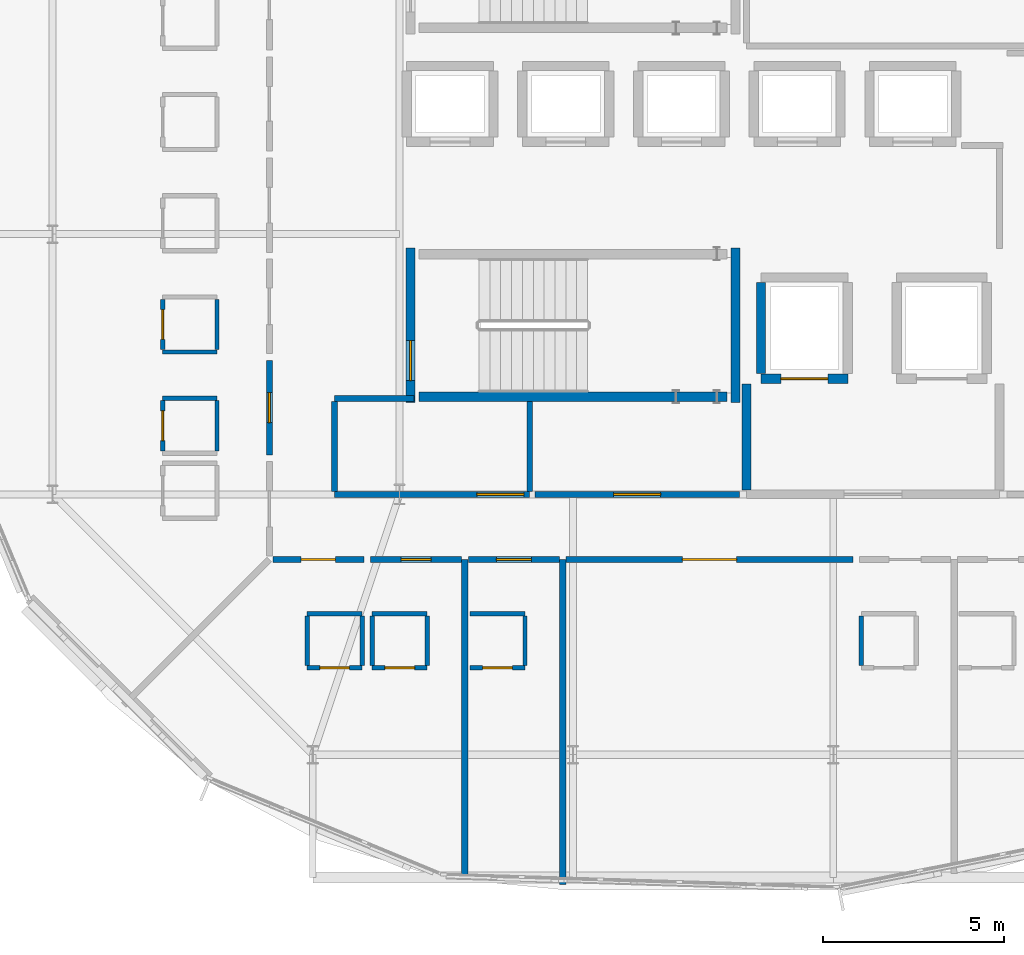
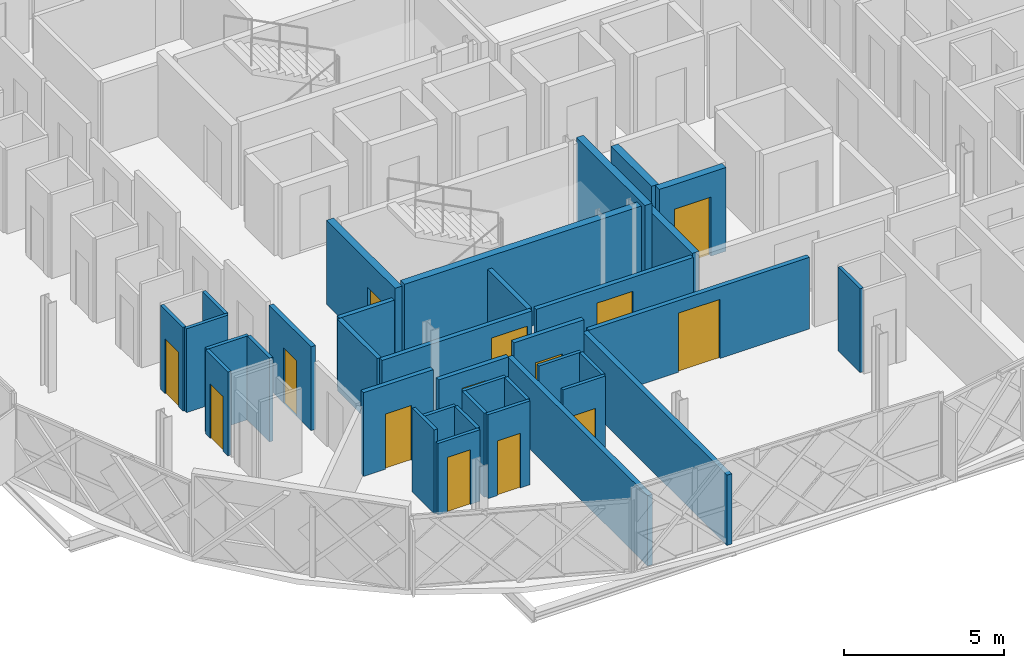
# One storey, part 15 of 26: 36 walls, 14 doors, 14 openings.
"""IFC4 building model written with IfcOpenShell, lengths in metres."""

from ifc_helpers import new_model, si_unit, direction, frame, frame_2d, origin, place, context, subcontext, project, spatial, rectangle, extrude, material, layer, layer_set, type_object, element, fill, save


model = new_model("IFC4")

# Units and contexts
model_context = context("Model", 3, precision=1e-05, world=origin(), true_north=direction((0.0, 1.0)))
body_context = subcontext(model_context, "Body", "Model", "MODEL_VIEW")
ifc_project = project(units=[si_unit("LENGTHUNIT", "METRE"), si_unit("AREAUNIT", "SQUARE_METRE"), si_unit("VOLUMEUNIT", "CUBIC_METRE"), si_unit("PLANEANGLEUNIT", "RADIAN"), si_unit("MASSUNIT", "GRAM", prefix="KILO")], contexts=[model_context])

# Site, building, storey
site_placement = place(None, origin())
site = spatial("IfcSite", under=ifc_project, at=site_placement, CompositionType="ELEMENT")
building_placement = place(site_placement, origin())
building = spatial("IfcBuilding", under=site, at=building_placement, Name="Zevrakil Square Congress Hotel", CompositionType="ELEMENT")
storey_placement = place(building_placement, frame((0.0, 0.0, 24.89990234375)))
storey = spatial("IfcBuildingStorey", under=building, at=storey_placement, Name="L07", CompositionType="ELEMENT", Elevation=24.89990234375)

# Wall
ifc_material_1 = material(Name="Concrete C35/45", Category="concrete")
ifc_layer_1 = layer(ifc_material_1, 0.239990234375)
ifc_layer_set_1 = layer_set([ifc_layer_1], Name="Concrete C35/45")
wall_type_1 = type_object("IfcWallType", Name="WAL-COMP-240", PredefinedType="SOLIDWALL", material=ifc_layer_set_1)
wall_1_placement = place(storey_placement, frame((146.39990234375, 16.925048828125, 0.0), z_axis=(0.0, 0.0, 1.0), x_axis=(0.0, 1.0, 0.0)))
element("IfcWall", 1, at=wall_1_placement, inside=storey, type_object=wall_type_1, Name="L07 interior partition PW-L07-0920", PredefinedType="SOLIDWALL", context=body_context, shape_type="SweptSolid", body=[
    extrude(rectangle(XDim=2.925048828125, YDim=0.239990234375, at=frame_2d((1.46240234375, 0.0))), origin(), (0.0, 0.0, 1.0), 2.72509765625),
])

# Wall, opening, door
ifc_material_2 = material(Name="Gypsum Acoustic Stud Partition")
ifc_layer_2 = layer(ifc_material_2, 0.159912109375)
ifc_layer_set_2 = layer_set([ifc_layer_2], Name="Gypsum Acoustic Stud Partition")
wall_type_2 = type_object("IfcWallType", Name="WAL-CORR-160", PredefinedType="PARTITIONING", material=ifc_layer_set_2)
wall_2_placement = place(storey_placement, frame((135.0, 16.800048828125, 0.0), z_axis=(0.0, 0.0, 1.0), x_axis=(1.0, 0.0, 0.0)))
wall_2 = element("IfcWall", 2, at=wall_2_placement, inside=storey, type_object=wall_type_2, Name="L07 interior partition PW-L07-0922", PredefinedType="PARTITIONING", context=body_context, shape_type="SweptSolid", body=[
    extrude(rectangle(XDim=5.39990234375, YDim=0.159912109375, at=frame_2d((2.699951171875, 0.0))), origin(), (0.0, 0.0, 1.0), 2.72509765625),
])
opening_1_placement = place(wall_2_placement, frame((3.93994140625, 0.0, 0.0)))
opening_1 = element("IfcOpeningElement", 3, at=opening_1_placement, cuts=wall_2, Name="Opening ID-08", PredefinedType="OPENING", context=body_context, shape_type="SweptSolid", body=[
    extrude(rectangle(XDim=1.300048828125, YDim=2.199951171875, at=frame_2d((0.64990234375, 1.10009765625))), frame((0.0, 0.08984375, 0.0), z_axis=(0.0, -1.0, 0.0), x_axis=(1.0, 0.0, 0.0)), (0.0, 0.0, 1.0), 0.179931640625),
])
ifc_material_3 = material(Name="Service Corridor Leaf-and-Half Door")
door_type_1 = type_object("IfcDoorType", Name="DOR-BOH-130", OperationType="NOTDEFINED", PredefinedType="DOOR", material=ifc_material_3)
door_1_placement = place(opening_1_placement, origin())
door_1 = element("IfcDoor", 4, at=door_1_placement, inside=storey, type_object=door_type_1, Name="L07 interior door 364", OperationType="SINGLE_SWING_RIGHT", OverallHeight=2.199951171875, OverallWidth=1.300048828125, PredefinedType="DOOR", context=body_context, shape_type="SweptSolid", body=[
    extrude(rectangle(XDim=1.300048828125, YDim=2.199951171875, at=frame_2d((0.64990234375, 1.10009765625))), frame((0.0, 0.02490234375, 0.0), z_axis=(0.0, -1.0, 0.0), x_axis=(1.0, 0.0, 0.0)), (0.0, 0.0, 1.0), 0.050048828125),
])
fill(opening_1, door_1)

# Walls
for number, where, z_axis, x_axis, name in (
    (5, (135.0, 16.885009765625, 0.0), (0.0, 0.0, 1.0), (0.0, 1.0, 0.0), "L07 interior partition PW-L07-0923"),
    (6, (140.39990234375, 16.885009765625, 0.0), (0.0, 0.0, 1.0), (0.0, 1.0, 0.0), "L07 interior partition PW-L07-0924"),
):
    element("IfcWall", number, at=place(storey_placement, frame(where, z_axis=z_axis, x_axis=x_axis)), inside=storey, type_object=wall_type_2, Name=name, PredefinedType="PARTITIONING", context=body_context, shape_type="SweptSolid", body=[
        extrude(rectangle(XDim=2.47998046875, YDim=0.159912109375, at=frame_2d((1.239990234375, 0.0))), origin(), (0.0, 0.0, 1.0), 2.72509765625),
    ])
wall_3_placement = place(storey_placement, frame((135.0, 19.449951171875, 0.0), z_axis=(0.0, 0.0, 1.0), x_axis=(1.0, 0.0, 0.0)))
element("IfcWall", 7, at=wall_3_placement, inside=storey, type_object=wall_type_2, Name="L07 interior partition PW-L07-0925", PredefinedType="PARTITIONING", context=body_context, shape_type="SweptSolid", body=[
    extrude(rectangle(XDim=2.199951171875, YDim=0.159912109375, at=frame_2d((1.10009765625, 0.0))), origin(), (0.0, 0.0, 1.0), 2.72509765625),
])

# Wall, opening, door
wall_4_placement = place(storey_placement, frame((140.550048828125, 16.800048828125, 0.0), z_axis=(0.0, 0.0, 1.0), x_axis=(1.0, 0.0, 0.0)))
wall_4 = element("IfcWall", 8, at=wall_4_placement, inside=storey, type_object=wall_type_2, Name="L07 interior partition PW-L07-0926", PredefinedType="PARTITIONING", context=body_context, shape_type="SweptSolid", body=[
    extrude(rectangle(XDim=5.64990234375, YDim=0.159912109375, at=frame_2d((2.824951171875, 0.0))), origin(), (0.0, 0.0, 1.0), 2.72509765625),
])
opening_2_placement = place(wall_4_placement, frame((2.175048828125, 0.0, 0.0)))
opening_2 = element("IfcOpeningElement", 9, at=opening_2_placement, cuts=wall_4, Name="Opening ID-08", PredefinedType="OPENING", context=body_context, shape_type="SweptSolid", body=[
    extrude(rectangle(XDim=1.300048828125, YDim=2.199951171875, at=frame_2d((0.64990234375, 1.10009765625))), frame((0.0, 0.08984375, 0.0), z_axis=(0.0, -1.0, 0.0), x_axis=(1.0, 0.0, 0.0)), (0.0, 0.0, 1.0), 0.179931640625),
])
door_2_placement = place(opening_2_placement, origin())
door_2 = element("IfcDoor", 10, at=door_2_placement, inside=storey, type_object=door_type_1, Name="L07 interior door 365", OperationType="SINGLE_SWING_LEFT", OverallHeight=2.199951171875, OverallWidth=1.300048828125, PredefinedType="DOOR", context=body_context, shape_type="SweptSolid", body=[
    extrude(rectangle(XDim=1.300048828125, YDim=2.199951171875, at=frame_2d((0.64990234375, 1.10009765625))), frame((0.0, 0.02490234375, 0.0), z_axis=(0.0, -1.0, 0.0), x_axis=(1.0, 0.0, 0.0)), (0.0, 0.0, 1.0), 0.050048828125),
])
fill(opening_2, door_2)

wall_5_placement = place(storey_placement, frame((141.41162109375, 15.0, 0.0), z_axis=(0.0, 0.0, 1.0), x_axis=(1.0, 0.0, 0.0)))
wall_5 = element("IfcWall", 11, at=wall_5_placement, inside=storey, type_object=wall_type_2, Name="L07 interior partition PW-L07-0940", PredefinedType="PARTITIONING", context=body_context, shape_type="SweptSolid", body=[
    extrude(rectangle(XDim=7.9267578125, YDim=0.159912109375, at=frame_2d((3.96337890625, 0.0))), origin(), (0.0, 0.0, 1.0), 2.72509765625),
])
opening_3_placement = place(wall_5_placement, frame((3.21337890625, 0.0, 0.0)))
opening_3 = element("IfcOpeningElement", 12, at=opening_3_placement, cuts=wall_5, Name="Opening ID-03", PredefinedType="OPENING", context=body_context, shape_type="SweptSolid", body=[
    extrude(rectangle(XDim=1.5, YDim=2.25, at=frame_2d((0.75, 1.125))), frame((0.0, 0.08984375, 0.0), z_axis=(0.0, -1.0, 0.0), x_axis=(1.0, 0.0, 0.0)), (0.0, 0.0, 1.0), 0.179931640625),
])
ifc_material_4 = material(Name="Acoustic Double Meeting Door")
door_type_2 = type_object("IfcDoorType", Name="DOR-MTG-150", OperationType="NOTDEFINED", PredefinedType="DOOR", material=ifc_material_4)
door_3_placement = place(opening_3_placement, origin())
door_3 = element("IfcDoor", 13, at=door_3_placement, inside=storey, type_object=door_type_2, Name="L07 interior door 369", OperationType="DOUBLE_DOOR_SINGLE_SWING", OverallHeight=2.25, OverallWidth=1.5, PredefinedType="DOOR", context=body_context, shape_type="SweptSolid", body=[
    extrude(rectangle(XDim=1.5, YDim=2.25, at=frame_2d((0.75, 1.125))), frame((0.0, 0.02490234375, 0.0), z_axis=(0.0, -1.0, 0.0), x_axis=(1.0, 0.0, 0.0)), (0.0, 0.0, 1.0), 0.050048828125),
])
fill(opening_3, door_3)

wall_6_placement = place(storey_placement, frame((133.294921875, 15.0, 0.0), z_axis=(0.0, 0.0, 1.0), x_axis=(1.0, 0.0, 0.0)))
wall_6 = element("IfcWall", 14, at=wall_6_placement, inside=storey, type_object=wall_type_2, Name="L07 interior partition PW-L07-0941", PredefinedType="PARTITIONING", context=body_context, shape_type="SweptSolid", body=[
    extrude(rectangle(XDim=2.515625, YDim=0.159912109375, at=frame_2d((1.2578125, 0.0))), origin(), (0.0, 0.0, 1.0), 3.190185546875),
])
opening_4_placement = place(wall_6_placement, frame((0.78369140625, 0.0, 0.0)))
opening_4 = element("IfcOpeningElement", 15, at=opening_4_placement, cuts=wall_6, Name="Opening ID-H09", PredefinedType="OPENING", context=body_context, shape_type="SweptSolid", body=[
    extrude(rectangle(XDim=0.947998046875, YDim=2.10009765625, at=frame_2d((0.47412109375, 1.050048828125))), frame((0.0, 0.08984375, 0.0), z_axis=(0.0, -1.0, 0.0), x_axis=(1.0, 0.0, 0.0)), (0.0, 0.0, 1.0), 0.179931640625),
])
ifc_material_5 = material(Name="Acoustic Timber Fire Door", Category="wood")
door_type_3 = type_object("IfcDoorType", Name="DOR-INT-H09", OperationType="NOTDEFINED", PredefinedType="DOOR", material=ifc_material_5)
door_4_placement = place(opening_4_placement, origin())
door_4 = element("IfcDoor", 16, at=door_4_placement, inside=storey, type_object=door_type_3, Name="L07 interior door 370", OperationType="SINGLE_SWING_RIGHT", OverallHeight=2.10009765625, OverallWidth=0.947998046875, PredefinedType="DOOR", context=body_context, shape_type="SweptSolid", body=[
    extrude(rectangle(XDim=0.947998046875, YDim=2.10009765625, at=frame_2d((0.47412109375, 1.050048828125))), frame((0.0, 0.02490234375, 0.0), z_axis=(0.0, -1.0, 0.0), x_axis=(1.0, 0.0, 0.0)), (0.0, 0.0, 1.0), 0.050048828125),
])
fill(opening_4, door_4)

wall_7_placement = place(storey_placement, frame((136.00048828125, 15.0, 0.0), z_axis=(0.0, 0.0, 1.0), x_axis=(1.0, 0.0, 0.0)))
wall_7 = element("IfcWall", 17, at=wall_7_placement, inside=storey, type_object=wall_type_2, Name="L07 interior partition PW-L07-0947", PredefinedType="PARTITIONING", context=body_context, shape_type="SweptSolid", body=[
    extrude(rectangle(XDim=2.515625, YDim=0.159912109375, at=frame_2d((1.2578125, 0.0))), origin(), (0.0, 0.0, 1.0), 2.72509765625),
])
opening_5_placement = place(wall_7_placement, frame((0.8427734375, 0.0, 0.0)))
opening_5 = element("IfcOpeningElement", 18, at=opening_5_placement, cuts=wall_7, Name="Opening ID-G10", PredefinedType="OPENING", context=body_context, shape_type="SweptSolid", body=[
    extrude(rectangle(XDim=0.830078125, YDim=2.110107421875, at=frame_2d((0.4150390625, 1.05517578125))), frame((0.0, 0.08984375, 0.0), z_axis=(0.0, -1.0, 0.0), x_axis=(1.0, 0.0, 0.0)), (0.0, 0.0, 1.0), 0.179931640625),
])
ifc_material_6 = material(Name="Acoustic Timber Fire Door", Category="wood")
door_type_4 = type_object("IfcDoorType", Name="DOR-INT-G10", OperationType="NOTDEFINED", PredefinedType="DOOR", material=ifc_material_6)
door_5_placement = place(opening_5_placement, origin())
door_5 = element("IfcDoor", 19, at=door_5_placement, inside=storey, type_object=door_type_4, Name="L07 interior door 372", OperationType="SINGLE_SWING_RIGHT", OverallHeight=2.110107421875, OverallWidth=0.830078125, PredefinedType="DOOR", context=body_context, shape_type="SweptSolid", body=[
    extrude(rectangle(XDim=0.830078125, YDim=2.110107421875, at=frame_2d((0.4150390625, 1.05517578125))), frame((0.0, 0.02490234375, 0.0), z_axis=(0.0, -1.0, 0.0), x_axis=(1.0, 0.0, 0.0)), (0.0, 0.0, 1.0), 0.050048828125),
])
fill(opening_5, door_5)

wall_8_placement = place(storey_placement, frame((138.7060546875, 15.0, 0.0), z_axis=(0.0, 0.0, 1.0), x_axis=(1.0, 0.0, 0.0)))
wall_8 = element("IfcWall", 20, at=wall_8_placement, inside=storey, type_object=wall_type_2, Name="L07 interior partition PW-L07-0953", PredefinedType="PARTITIONING", context=body_context, shape_type="SweptSolid", body=[
    extrude(rectangle(XDim=2.515625, YDim=0.159912109375, at=frame_2d((1.2578125, 0.0))), origin(), (0.0, 0.0, 1.0), 3.190185546875),
])
opening_6_placement = place(wall_8_placement, frame((0.771728515625, 0.0, 0.0)))
opening_6 = element("IfcOpeningElement", 21, at=opening_6_placement, cuts=wall_8, Name="Opening ID-H11", PredefinedType="OPENING", context=body_context, shape_type="SweptSolid", body=[
    extrude(rectangle(XDim=0.971923828125, YDim=2.159912109375, at=frame_2d((0.48583984375, 1.080078125))), frame((0.0, 0.08984375, 0.0), z_axis=(0.0, -1.0, 0.0), x_axis=(1.0, 0.0, 0.0)), (0.0, 0.0, 1.0), 0.179931640625),
])
ifc_material_7 = material(Name="Acoustic Timber Fire Door", Category="wood")
door_type_5 = type_object("IfcDoorType", Name="DOR-INT-H11", OperationType="NOTDEFINED", PredefinedType="DOOR", material=ifc_material_7)
door_6_placement = place(opening_6_placement, origin())
door_6 = element("IfcDoor", 22, at=door_6_placement, inside=storey, type_object=door_type_5, Name="L07 interior door 374", OperationType="SINGLE_SWING_RIGHT", OverallHeight=2.159912109375, OverallWidth=0.971923828125, PredefinedType="DOOR", context=body_context, shape_type="SweptSolid", body=[
    extrude(rectangle(XDim=0.971923828125, YDim=2.159912109375, at=frame_2d((0.48583984375, 1.080078125))), frame((0.0, 0.02490234375, 0.0), z_axis=(0.0, -1.0, 0.0), x_axis=(1.0, 0.0, 0.0)), (0.0, 0.0, 1.0), 0.050048828125),
])
fill(opening_6, door_6)

wall_9_placement = place(storey_placement, frame((133.199951171875, 17.89501953125, 0.0), z_axis=(0.0, 0.0, 1.0), x_axis=(0.0, 1.0, 0.0)))
wall_9 = element("IfcWall", 23, at=wall_9_placement, inside=storey, type_object=wall_type_2, Name="L07 interior partition PW-L07-1101", PredefinedType="PARTITIONING", context=body_context, shape_type="SweptSolid", body=[
    extrude(rectangle(XDim=2.60986328125, YDim=0.159912109375, at=frame_2d((1.304931640625, 0.0))), origin(), (0.0, 0.0, 1.0), 3.190185546875),
])
opening_7_placement = place(wall_9_placement, frame((0.889892578125, 0.0, 0.0)))
opening_7 = element("IfcOpeningElement", 24, at=opening_7_placement, cuts=wall_9, Name="Opening ID-G10", PredefinedType="OPENING", context=body_context, shape_type="SweptSolid", body=[
    extrude(rectangle(XDim=0.830078125, YDim=2.110107421875, at=frame_2d((0.4150390625, 1.05517578125))), frame((0.0, 0.08984375, 0.0), z_axis=(0.0, -1.0, 0.0), x_axis=(1.0, 0.0, 0.0)), (0.0, 0.0, 1.0), 0.179931640625),
])
door_7_placement = place(opening_7_placement, origin())
door_7 = element("IfcDoor", 25, at=door_7_placement, inside=storey, type_object=door_type_4, Name="L07 interior door 432", OperationType="SINGLE_SWING_RIGHT", OverallHeight=2.110107421875, OverallWidth=0.830078125, PredefinedType="DOOR", context=body_context, shape_type="SweptSolid", body=[
    extrude(rectangle(XDim=0.830078125, YDim=2.110107421875, at=frame_2d((0.4150390625, 1.05517578125))), frame((0.0, 0.02490234375, 0.0), z_axis=(0.0, -1.0, 0.0), x_axis=(1.0, 0.0, 0.0)), (0.0, 0.0, 1.0), 0.050048828125),
])
fill(opening_7, door_7)

ifc_material_8 = material(Name="Moisture-Resistant Gypsum Partition")
ifc_layer_3 = layer(ifc_material_8, 0.1201171875)
ifc_layer_set_3 = layer_set([ifc_layer_3], Name="Moisture-Resistant Gypsum Partition")
wall_type_3 = type_object("IfcWallType", Name="WAL-ENS-120", PredefinedType="PARTITIONING", material=ifc_layer_set_3)
wall_10_placement = place(storey_placement, frame((134.24560546875, 12.0, 0.0), z_axis=(0.0, 0.0, 1.0), x_axis=(1.0, 0.0, 0.0)))
wall_10 = element("IfcWall", 26, at=wall_10_placement, inside=storey, type_object=wall_type_3, Name="L07 interior partition PW-L07-0942", PredefinedType="PARTITIONING", context=body_context, shape_type="SweptSolid", body=[
    extrude(rectangle(XDim=1.52001953125, YDim=0.1201171875, at=frame_2d((0.760009765625, 0.0))), origin(), (0.0, 0.0, 1.0), 2.72509765625),
])
opening_8_placement = place(wall_10_placement, frame((0.35009765625, 0.0, 0.0)))
opening_8 = element("IfcOpeningElement", 27, at=opening_8_placement, cuts=wall_10, Name="Opening ID-11", PredefinedType="OPENING", context=body_context, shape_type="SweptSolid", body=[
    extrude(rectangle(XDim=0.820068359375, YDim=2.080078125, at=frame_2d((0.41015625, 1.0400390625))), frame((0.0, 0.070068359375, 0.0), z_axis=(0.0, -1.0, 0.0), x_axis=(1.0, 0.0, 0.0)), (0.0, 0.0, 1.0), 0.14013671875),
])
ifc_material_9 = material(Name="Acoustic Timber Door", Category="wood")
door_type_6 = type_object("IfcDoorType", Name="DOR-INT-V01", OperationType="NOTDEFINED", PredefinedType="DOOR", material=ifc_material_9)
door_8_placement = place(opening_8_placement, origin())
door_8 = element("IfcDoor", 28, at=door_8_placement, inside=storey, type_object=door_type_6, Name="L07 interior door 371", OperationType="SINGLE_SWING_LEFT", OverallHeight=2.080078125, OverallWidth=0.820068359375, PredefinedType="DOOR", context=body_context, shape_type="SweptSolid", body=[
    extrude(rectangle(XDim=0.820068359375, YDim=2.080078125, at=frame_2d((0.41015625, 1.0400390625))), frame((0.0, 0.02490234375, 0.0), z_axis=(0.0, -1.0, 0.0), x_axis=(1.0, 0.0, 0.0)), (0.0, 0.0, 1.0), 0.050048828125),
])
fill(opening_8, door_8)

# Walls
wall_11_placement = place(storey_placement, frame((134.24560546875, 13.5, 0.0), z_axis=(0.0, 0.0, 1.0), x_axis=(1.0, 0.0, 0.0)))
element("IfcWall", 29, at=wall_11_placement, inside=storey, type_object=wall_type_3, Name="L07 interior partition PW-L07-0943", PredefinedType="PARTITIONING", context=body_context, shape_type="SweptSolid", body=[
    extrude(rectangle(XDim=1.52001953125, YDim=0.1201171875, at=frame_2d((0.760009765625, 0.0))), origin(), (0.0, 0.0, 1.0), 2.72509765625),
])
wall_12_placement = place(storey_placement, frame((134.24560546875, 12.06494140625, 0.0), z_axis=(0.0, 0.0, 1.0), x_axis=(0.0, 1.0, 0.0)))
element("IfcWall", 30, at=wall_12_placement, inside=storey, type_object=wall_type_3, Name="L07 interior partition PW-L07-0944", PredefinedType="PARTITIONING", context=body_context, shape_type="SweptSolid", body=[
    extrude(rectangle(XDim=1.3701171875, YDim=0.1201171875, at=frame_2d((0.68505859375, 0.0))), origin(), (0.0, 0.0, 1.0), 3.190185546875),
])
wall_13_placement = place(storey_placement, frame((135.765625, 12.06494140625, 0.0), z_axis=(0.0, 0.0, 1.0), x_axis=(0.0, 1.0, 0.0)))
element("IfcWall", 31, at=wall_13_placement, inside=storey, type_object=wall_type_3, Name="L07 interior partition PW-L07-0945", PredefinedType="PARTITIONING", context=body_context, shape_type="SweptSolid", body=[
    extrude(rectangle(XDim=1.3701171875, YDim=0.1201171875, at=frame_2d((0.68505859375, 0.0))), origin(), (0.0, 0.0, 1.0), 2.72509765625),
])

# Wall, opening, door
wall_14_placement = place(storey_placement, frame((136.045654296875, 12.0, 0.0), z_axis=(0.0, 0.0, 1.0), x_axis=(1.0, 0.0, 0.0)))
wall_14 = element("IfcWall", 32, at=wall_14_placement, inside=storey, type_object=wall_type_3, Name="L07 interior partition PW-L07-0948", PredefinedType="PARTITIONING", context=body_context, shape_type="SweptSolid", body=[
    extrude(rectangle(XDim=1.52001953125, YDim=0.1201171875, at=frame_2d((0.760009765625, 0.0))), origin(), (0.0, 0.0, 1.0), 3.190185546875),
])
opening_9_placement = place(wall_14_placement, frame((0.35009765625, 0.0, 0.0)))
opening_9 = element("IfcOpeningElement", 33, at=opening_9_placement, cuts=wall_14, Name="Opening ID-11", PredefinedType="OPENING", context=body_context, shape_type="SweptSolid", body=[
    extrude(rectangle(XDim=0.820068359375, YDim=2.080078125, at=frame_2d((0.41015625, 1.0400390625))), frame((0.0, 0.070068359375, 0.0), z_axis=(0.0, -1.0, 0.0), x_axis=(1.0, 0.0, 0.0)), (0.0, 0.0, 1.0), 0.14013671875),
])
door_9_placement = place(opening_9_placement, origin())
door_9 = element("IfcDoor", 34, at=door_9_placement, inside=storey, type_object=door_type_6, Name="L07 interior door 373", OperationType="SINGLE_SWING_LEFT", OverallHeight=2.080078125, OverallWidth=0.820068359375, PredefinedType="DOOR", context=body_context, shape_type="SweptSolid", body=[
    extrude(rectangle(XDim=0.820068359375, YDim=2.080078125, at=frame_2d((0.41015625, 1.0400390625))), frame((0.0, 0.02490234375, 0.0), z_axis=(0.0, -1.0, 0.0), x_axis=(1.0, 0.0, 0.0)), (0.0, 0.0, 1.0), 0.050048828125),
])
fill(opening_9, door_9)

# Walls
wall_15_placement = place(storey_placement, frame((136.045654296875, 13.5, 0.0), z_axis=(0.0, 0.0, 1.0), x_axis=(1.0, 0.0, 0.0)))
element("IfcWall", 35, at=wall_15_placement, inside=storey, type_object=wall_type_3, Name="L07 interior partition PW-L07-0949", PredefinedType="PARTITIONING", context=body_context, shape_type="SweptSolid", body=[
    extrude(rectangle(XDim=1.52001953125, YDim=0.1201171875, at=frame_2d((0.760009765625, 0.0))), origin(), (0.0, 0.0, 1.0), 3.190185546875),
])
for number, where, z_axis, x_axis, name in (
    (36, (136.045654296875, 12.06494140625, 0.0), (0.0, 0.0, 1.0), (0.0, 1.0, 0.0), "L07 interior partition PW-L07-0950"),
    (37, (137.565673828125, 12.06494140625, 0.0), (0.0, 0.0, 1.0), (0.0, 1.0, 0.0), "L07 interior partition PW-L07-0951"),
):
    element("IfcWall", number, at=place(storey_placement, frame(where, z_axis=z_axis, x_axis=x_axis)), inside=storey, type_object=wall_type_3, Name=name, PredefinedType="PARTITIONING", context=body_context, shape_type="SweptSolid", body=[
        extrude(rectangle(XDim=1.3701171875, YDim=0.1201171875, at=frame_2d((0.68505859375, 0.0))), origin(), (0.0, 0.0, 1.0), 3.190185546875),
    ])

# Wall, opening, door
wall_16_placement = place(storey_placement, frame((138.751220703125, 12.0, 0.0), z_axis=(0.0, 0.0, 1.0), x_axis=(1.0, 0.0, 0.0)))
wall_16 = element("IfcWall", 38, at=wall_16_placement, inside=storey, type_object=wall_type_3, Name="L07 interior partition PW-L07-0954", PredefinedType="PARTITIONING", context=body_context, shape_type="SweptSolid", body=[
    extrude(rectangle(XDim=1.519775390625, YDim=0.1201171875, at=frame_2d((0.759765625, 0.0))), origin(), (0.0, 0.0, 1.0), 3.190185546875),
])
opening_10_placement = place(wall_16_placement, frame((0.35009765625, 0.0, 0.0)))
opening_10 = element("IfcOpeningElement", 39, at=opening_10_placement, cuts=wall_16, Name="Opening ID-11", PredefinedType="OPENING", context=body_context, shape_type="SweptSolid", body=[
    extrude(rectangle(XDim=0.820068359375, YDim=2.080078125, at=frame_2d((0.41015625, 1.0400390625))), frame((0.0, 0.070068359375, 0.0), z_axis=(0.0, -1.0, 0.0), x_axis=(1.0, 0.0, 0.0)), (0.0, 0.0, 1.0), 0.14013671875),
])
door_10_placement = place(opening_10_placement, origin())
door_10 = element("IfcDoor", 40, at=door_10_placement, inside=storey, type_object=door_type_6, Name="L07 interior door 375", OperationType="SINGLE_SWING_LEFT", OverallHeight=2.080078125, OverallWidth=0.820068359375, PredefinedType="DOOR", context=body_context, shape_type="SweptSolid", body=[
    extrude(rectangle(XDim=0.820068359375, YDim=2.080078125, at=frame_2d((0.41015625, 1.0400390625))), frame((0.0, 0.02490234375, 0.0), z_axis=(0.0, -1.0, 0.0), x_axis=(1.0, 0.0, 0.0)), (0.0, 0.0, 1.0), 0.050048828125),
])
fill(opening_10, door_10)

# Walls
wall_17_placement = place(storey_placement, frame((138.751220703125, 13.5, 0.0), z_axis=(0.0, 0.0, 1.0), x_axis=(1.0, 0.0, 0.0)))
element("IfcWall", 41, at=wall_17_placement, inside=storey, type_object=wall_type_3, Name="L07 interior partition PW-L07-0955", PredefinedType="PARTITIONING", context=body_context, shape_type="SweptSolid", body=[
    extrude(rectangle(XDim=1.519775390625, YDim=0.1201171875, at=frame_2d((0.759765625, 0.0))), origin(), (0.0, 0.0, 1.0), 3.190185546875),
])
for number, where, z_axis, x_axis, name in (
    (42, (140.27099609375, 12.06494140625, 0.0), (0.0, 0.0, 1.0), (0.0, 1.0, 0.0), "L07 interior partition PW-L07-0956"),
    (43, (149.5732421875, 12.06494140625, 0.0), (0.0, 0.0, 1.0), (0.0, 1.0, 0.0), "L07 interior partition PW-L07-0961"),
):
    element("IfcWall", number, at=place(storey_placement, frame(where, z_axis=z_axis, x_axis=x_axis)), inside=storey, type_object=wall_type_3, Name=name, PredefinedType="PARTITIONING", context=body_context, shape_type="SweptSolid", body=[
        extrude(rectangle(XDim=1.3701171875, YDim=0.1201171875, at=frame_2d((0.68505859375, 0.0))), origin(), (0.0, 0.0, 1.0), 3.190185546875),
    ])
wall_18_placement = place(storey_placement, frame((130.25, 20.739990234375, 0.0), z_axis=(0.0, 0.0, 1.0), x_axis=(1.0, 0.0, 0.0)))
element("IfcWall", 44, at=wall_18_placement, inside=storey, type_object=wall_type_3, Name="L07 interior partition PW-L07-1097", PredefinedType="PARTITIONING", context=body_context, shape_type="SweptSolid", body=[
    extrude(rectangle(XDim=1.5, YDim=0.1201171875, at=frame_2d((0.75, 0.0))), origin(), (0.0, 0.0, 1.0), 3.190185546875),
])

# Wall, opening, door
wall_19_placement = place(storey_placement, frame((130.25, 20.804931640625, 0.0), z_axis=(0.0, 0.0, 1.0), x_axis=(0.0, 1.0, 0.0)))
wall_19 = element("IfcWall", 45, at=wall_19_placement, inside=storey, type_object=wall_type_3, Name="L07 interior partition PW-L07-1099", PredefinedType="PARTITIONING", context=body_context, shape_type="SweptSolid", body=[
    extrude(rectangle(XDim=1.39013671875, YDim=0.1201171875, at=frame_2d((0.695068359375, 0.0))), origin(), (0.0, 0.0, 1.0), 3.190185546875),
])
opening_11_placement = place(wall_19_placement, frame((0.284912109375, 0.0, 0.0)))
opening_11 = element("IfcOpeningElement", 46, at=opening_11_placement, cuts=wall_19, Name="Opening ID-11", PredefinedType="OPENING", context=body_context, shape_type="SweptSolid", body=[
    extrude(rectangle(XDim=0.820068359375, YDim=2.080078125, at=frame_2d((0.41015625, 1.0400390625))), frame((0.0, 0.070068359375, 0.0), z_axis=(0.0, -1.0, 0.0), x_axis=(1.0, 0.0, 0.0)), (0.0, 0.0, 1.0), 0.14013671875),
])
door_11_placement = place(opening_11_placement, origin())
door_11 = element("IfcDoor", 47, at=door_11_placement, inside=storey, type_object=door_type_6, Name="L07 interior door 431", OperationType="SINGLE_SWING_LEFT", OverallHeight=2.080078125, OverallWidth=0.820068359375, PredefinedType="DOOR", context=body_context, shape_type="SweptSolid", body=[
    extrude(rectangle(XDim=0.820068359375, YDim=2.080078125, at=frame_2d((0.41015625, 1.0400390625))), frame((0.0, 0.02490234375, 0.0), z_axis=(0.0, -1.0, 0.0), x_axis=(1.0, 0.0, 0.0)), (0.0, 0.0, 1.0), 0.050048828125),
])
fill(opening_11, door_11)

# Walls
wall_20_placement = place(storey_placement, frame((131.75, 20.804931640625, 0.0), z_axis=(0.0, 0.0, 1.0), x_axis=(0.0, 1.0, 0.0)))
element("IfcWall", 48, at=wall_20_placement, inside=storey, type_object=wall_type_3, Name="L07 interior partition PW-L07-1100", PredefinedType="PARTITIONING", context=body_context, shape_type="SweptSolid", body=[
    extrude(rectangle(XDim=1.39013671875, YDim=0.1201171875, at=frame_2d((0.695068359375, 0.0))), origin(), (0.0, 0.0, 1.0), 3.190185546875),
])
wall_21_placement = place(storey_placement, frame((130.25, 19.4599609375, 0.0), z_axis=(0.0, 0.0, 1.0), x_axis=(1.0, 0.0, 0.0)))
element("IfcWall", 49, at=wall_21_placement, inside=storey, type_object=wall_type_3, Name="L07 interior partition PW-L07-1103", PredefinedType="PARTITIONING", context=body_context, shape_type="SweptSolid", body=[
    extrude(rectangle(XDim=1.5, YDim=0.1201171875, at=frame_2d((0.75, 0.0))), origin(), (0.0, 0.0, 1.0), 3.190185546875),
])

# Wall, opening, door
wall_22_placement = place(storey_placement, frame((130.25, 18.0048828125, 0.0), z_axis=(0.0, 0.0, 1.0), x_axis=(0.0, 1.0, 0.0)))
wall_22 = element("IfcWall", 50, at=wall_22_placement, inside=storey, type_object=wall_type_3, Name="L07 interior partition PW-L07-1104", PredefinedType="PARTITIONING", context=body_context, shape_type="SweptSolid", body=[
    extrude(rectangle(XDim=1.39013671875, YDim=0.1201171875, at=frame_2d((0.695068359375, 0.0))), origin(), (0.0, 0.0, 1.0), 3.190185546875),
])
opening_12_placement = place(wall_22_placement, frame((0.284912109375, 0.0, 0.0)))
opening_12 = element("IfcOpeningElement", 51, at=opening_12_placement, cuts=wall_22, Name="Opening ID-11", PredefinedType="OPENING", context=body_context, shape_type="SweptSolid", body=[
    extrude(rectangle(XDim=0.820068359375, YDim=2.080078125, at=frame_2d((0.41015625, 1.0400390625))), frame((0.0, 0.070068359375, 0.0), z_axis=(0.0, -1.0, 0.0), x_axis=(1.0, 0.0, 0.0)), (0.0, 0.0, 1.0), 0.14013671875),
])
door_12_placement = place(opening_12_placement, origin())
door_12 = element("IfcDoor", 52, at=door_12_placement, inside=storey, type_object=door_type_6, Name="L07 interior door 433", OperationType="SINGLE_SWING_LEFT", OverallHeight=2.080078125, OverallWidth=0.820068359375, PredefinedType="DOOR", context=body_context, shape_type="SweptSolid", body=[
    extrude(rectangle(XDim=0.820068359375, YDim=2.080078125, at=frame_2d((0.41015625, 1.0400390625))), frame((0.0, 0.02490234375, 0.0), z_axis=(0.0, -1.0, 0.0), x_axis=(1.0, 0.0, 0.0)), (0.0, 0.0, 1.0), 0.050048828125),
])
fill(opening_12, door_12)

# Walls
wall_23_placement = place(storey_placement, frame((131.75, 18.0048828125, 0.0), z_axis=(0.0, 0.0, 1.0), x_axis=(0.0, 1.0, 0.0)))
element("IfcWall", 53, at=wall_23_placement, inside=storey, type_object=wall_type_3, Name="L07 interior partition PW-L07-1105", PredefinedType="PARTITIONING", context=body_context, shape_type="SweptSolid", body=[
    extrude(rectangle(XDim=1.39013671875, YDim=0.1201171875, at=frame_2d((0.695068359375, 0.0))), origin(), (0.0, 0.0, 1.0), 3.190185546875),
])
ifc_material_10 = material(Name="Gypsum Twin-Stud Party Partition")
ifc_layer_4 = layer(ifc_material_10, 0.179931640625)
ifc_layer_set_4 = layer_set([ifc_layer_4], Name="Gypsum Twin-Stud Party Partition")
wall_type_4 = type_object("IfcWallType", Name="WAL-PARTY-180", PredefinedType="PARTITIONING", material=ifc_layer_set_4)
wall_24_placement = place(storey_placement, frame((138.611083984375, 6.276611328125, 0.0), z_axis=(0.0, 0.0, 1.0), x_axis=(0.0, 1.0, 0.0)))
element("IfcWall", 54, at=wall_24_placement, inside=storey, type_object=wall_type_4, Name="L07 interior partition PW-L07-0952", PredefinedType="PARTITIONING", context=body_context, shape_type="SweptSolid", body=[
    extrude(rectangle(XDim=8.723388671875, YDim=0.179931640625, at=frame_2d((4.36181640625, 0.0))), origin(), (0.0, 0.0, 1.0), 2.675048828125),
])
wall_25_placement = place(storey_placement, frame((141.316650390625, 6.010009765625, 0.0), z_axis=(0.0, 0.0, 1.0), x_axis=(0.0, 1.0, 0.0)))
element("IfcWall", 55, at=wall_25_placement, inside=storey, type_object=wall_type_4, Name="L07 interior partition PW-L07-0957", PredefinedType="PARTITIONING", context=body_context, shape_type="SweptSolid", body=[
    extrude(rectangle(XDim=8.989990234375, YDim=0.179931640625, at=frame_2d((4.4951171875, 0.0))), origin(), (0.0, 0.0, 1.0), 2.675048828125),
])

# Wall, opening, door
ifc_material_11 = material(Name="Concrete C40/50", Category="concrete")
ifc_layer_5 = layer(ifc_material_11, 0.260009765625)
ifc_layer_set_5 = layer_set([ifc_layer_5], Name="Concrete C40/50")
wall_type_5 = type_object("IfcWallType", Name="WAL-SHAFT-260", PredefinedType="SHEAR", material=ifc_layer_set_5)
wall_26_placement = place(storey_placement, frame((137.10498046875, 19.340087890625, 0.0), z_axis=(0.0, 0.0, 1.0), x_axis=(0.0, 1.0, 0.0)))
wall_26 = element("IfcWall", 56, at=wall_26_placement, inside=storey, type_object=wall_type_5, Name="L07 ST01 stair shaft W wall", PredefinedType="SHEAR", context=body_context, shape_type="SweptSolid", body=[
    extrude(rectangle(XDim=4.27001953125, YDim=0.260009765625, at=frame_2d((2.135009765625, 0.0))), origin(), (0.0, 0.0, 1.0), 3.190185546875),
])
opening_13_placement = place(wall_26_placement, frame((0.610107421875, 0.0, 0.0)))
opening_13 = element("IfcOpeningElement", 57, at=opening_13_placement, cuts=wall_26, Name="Opening SD-ST01", PredefinedType="OPENING", context=body_context, shape_type="SweptSolid", body=[
    extrude(rectangle(XDim=1.10009765625, YDim=2.199951171875, at=frame_2d((0.550048828125, 1.10009765625))), frame((0.0, 0.14013671875, 0.0), z_axis=(0.0, -1.0, 0.0), x_axis=(1.0, 0.0, 0.0)), (0.0, 0.0, 1.0), 0.280029296875),
])
ifc_material_12 = material(Name="Steel S355 Fire-Rated Door", Category="steel")
door_type_7 = type_object("IfcDoorType", Name="DOR-STAIR-FD90-110", OperationType="NOTDEFINED", PredefinedType="DOOR", material=ifc_material_12)
door_13_placement = place(opening_13_placement, origin())
door_13 = element("IfcDoor", 58, at=door_13_placement, inside=storey, type_object=door_type_7, Name="L07 ST01 protected stair fire door", OperationType="SINGLE_SWING_RIGHT", OverallHeight=2.199951171875, OverallWidth=1.10009765625, PredefinedType="DOOR", context=body_context, shape_type="SweptSolid", body=[
    extrude(rectangle(XDim=1.10009765625, YDim=2.199951171875, at=frame_2d((0.550048828125, 1.10009765625))), frame((0.0, 0.02490234375, 0.0), z_axis=(0.0, -1.0, 0.0), x_axis=(1.0, 0.0, 0.0)), (0.0, 0.0, 1.0), 0.050048828125),
])
fill(opening_13, door_13)

# Walls
wall_27_placement = place(storey_placement, frame((146.094970703125, 19.340087890625, 0.0), z_axis=(0.0, 0.0, 1.0), x_axis=(0.0, 1.0, 0.0)))
element("IfcWall", 59, at=wall_27_placement, inside=storey, type_object=wall_type_5, Name="L07 ST01 stair shaft E wall", PredefinedType="SHEAR", context=body_context, shape_type="SweptSolid", body=[
    extrude(rectangle(XDim=4.27001953125, YDim=0.260009765625, at=frame_2d((2.135009765625, 0.0))), origin(), (0.0, 0.0, 1.0), 3.190185546875),
])
wall_28_placement = place(storey_placement, frame((137.340087890625, 19.5048828125, 0.0), z_axis=(0.0, 0.0, 1.0), x_axis=(1.0, 0.0, 0.0)))
element("IfcWall", 60, at=wall_28_placement, inside=storey, type_object=wall_type_5, Name="L07 ST01 stair shaft S wall", PredefinedType="SHEAR", context=body_context, shape_type="SweptSolid", body=[
    extrude(rectangle(XDim=8.52001953125, YDim=0.260009765625, at=frame_2d((4.260009765625, 0.0))), origin(), (0.0, 0.0, 1.0), 3.190185546875),
])

# Wall, opening, door
wall_29_placement = place(storey_placement, frame((146.800048828125, 20.0, 0.0), z_axis=(0.0, 0.0, 1.0), x_axis=(1.0, 0.0, 0.0)))
wall_29 = element("IfcWall", 61, at=wall_29_placement, inside=storey, type_object=wall_type_5, Name="L07 FFL1 lift shaft wall", PredefinedType="SHEAR", context=body_context, shape_type="SweptSolid", body=[
    extrude(rectangle(XDim=2.39990234375, YDim=0.260009765625, at=frame_2d((1.199951171875, 0.0))), origin(), (0.0, 0.0, 1.0), 3.190185546875),
])
opening_14_placement = place(wall_29_placement, frame((0.550048828125, 0.0, 0.0)))
opening_14 = element("IfcOpeningElement", 62, at=opening_14_placement, cuts=wall_29, Name="Opening LD-FFL1", PredefinedType="OPENING", context=body_context, shape_type="SweptSolid", body=[
    extrude(rectangle(XDim=1.300048828125, YDim=2.25, at=frame_2d((0.64990234375, 1.125))), frame((0.0, 0.14013671875, 0.0), z_axis=(0.0, -1.0, 0.0), x_axis=(1.0, 0.0, 0.0)), (0.0, 0.0, 1.0), 0.280029296875),
])
ifc_material_13 = material(Name="Stretcher Firefighting Sliding Landing Door")
door_type_8 = type_object("IfcDoorType", Name="DOR-LIFT-LD130", OperationType="NOTDEFINED", PredefinedType="DOOR", material=ifc_material_13)
door_14_placement = place(opening_14_placement, origin())
door_14 = element("IfcDoor", 63, at=door_14_placement, inside=storey, type_object=door_type_8, Name="L07 FFL1 sliding lift landing door", OperationType="SLIDING_TO_RIGHT", OverallHeight=2.25, OverallWidth=1.300048828125, PredefinedType="DOOR", context=body_context, shape_type="SweptSolid", body=[
    extrude(rectangle(XDim=1.300048828125, YDim=2.25, at=frame_2d((0.64990234375, 1.125))), frame((0.0, 0.02490234375, 0.0), z_axis=(0.0, -1.0, 0.0), x_axis=(1.0, 0.0, 0.0)), (0.0, 0.0, 1.0), 0.050048828125),
])
fill(opening_14, door_14)

# Wall
wall_30_placement = place(storey_placement, frame((146.800048828125, 20.139892578125, 0.0), z_axis=(0.0, 0.0, 1.0), x_axis=(0.0, 1.0, 0.0)))
element("IfcWall", 64, at=wall_30_placement, inside=storey, type_object=wall_type_5, Name="L07 FFL1 lift shaft wall", PredefinedType="SHEAR", context=body_context, shape_type="SweptSolid", body=[
    extrude(rectangle(XDim=2.52001953125, YDim=0.260009765625, at=frame_2d((1.260009765625, 0.0))), origin(), (0.0, 0.0, 1.0), 3.190185546875),
])

save(model, "model.ifc")
